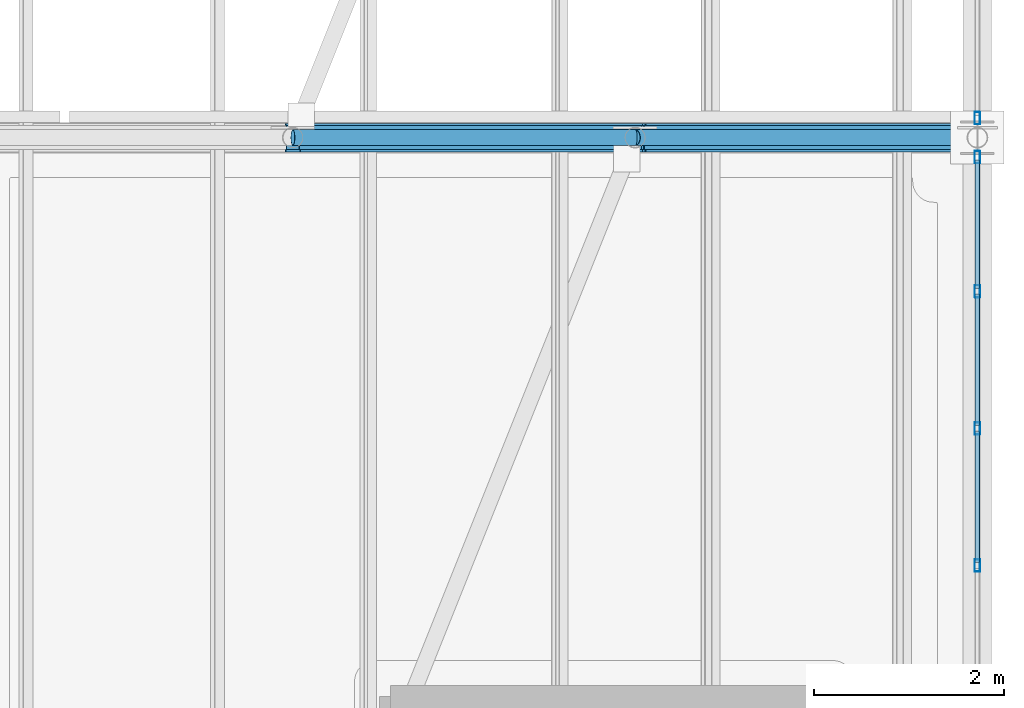
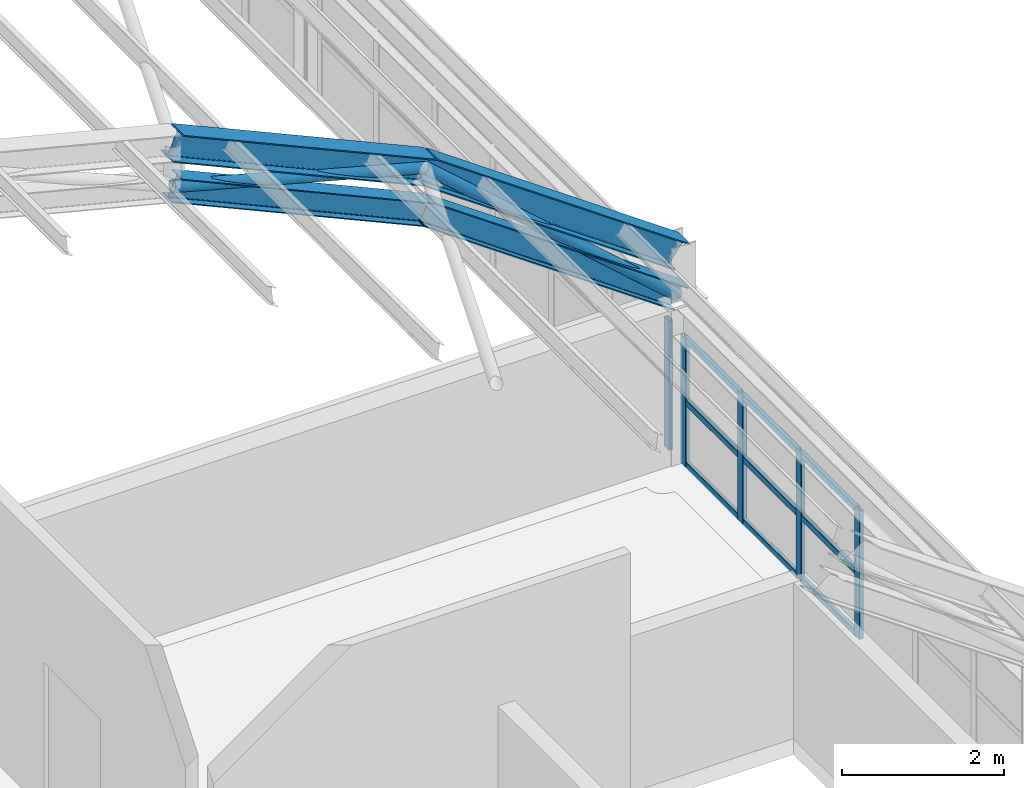
# One storey, part 38 of 121: 18 members, 2 beams, 2 elements without a shape of their own.
"""IFC4 building model written with IfcOpenShell, lengths in metres."""

import ifcopenshell
import ifcopenshell.guid

model = None  # the IFC model being written
_history = None  # IfcOwnerHistory: only IFC2X3 demands one
_inside = {}  # id of a spatial element -> (the spatial element, [elements in it])
_under = {}  # id of a project, library or spatial element -> (it, [spatial elements below it])
_declared = {}  # id of a project -> (the project, [libraries it declares])
_typed = {}  # id of a type object -> (the type object, [elements of that type])
_made_of = {}  # id of a material, layer set ... -> (it, [elements and type objects made of it])


def new_model(schema):
    """Start an empty IFC model of exactly this schema.

    Asked for "IFC4X3", IfcOpenShell would pick the latest addendum, in which some entities
    have other attributes; the version numbers below select the first issue.
    IFC2X3 requires an IfcOwnerHistory on every rooted entity: one is made here for all.
    """
    global model, _history
    if schema == "IFC4X3":
        model = ifcopenshell.file(schema_version=(4, 3, 0, 0))
    else:
        model = ifcopenshell.file(schema=schema)
    _inside.clear()
    _under.clear()
    _declared.clear()
    _typed.clear()
    _made_of.clear()
    _history = None
    if model.schema == "IFC2X3":
        org = make("IfcOrganization", Name="unknown")
        user = make(
            "IfcPersonAndOrganization",
            ThePerson=make("IfcPerson", FamilyName="unknown"),
            TheOrganization=org,
        )
        app = make(
            "IfcApplication",
            ApplicationDeveloper=org,
            Version="unknown",
            ApplicationFullName="unknown",
            ApplicationIdentifier="unknown",
        )
        _history = make(
            "IfcOwnerHistory",
            OwningUser=user,
            OwningApplication=app,
            ChangeAction="ADDED",
            CreationDate=0,
        )
    return model


def make(cls, **values):
    """One entity of the class cls with the attributes given. An attribute that is None is left unset."""
    return model.create_entity(
        cls, **{name: value for name, value in values.items() if value is not None}
    )


def rooted(cls, **values):
    """An entity with a GlobalId (a new one), such as an element, a storey or a relation."""
    return make(cls, GlobalId=ifcopenshell.guid.new(), OwnerHistory=_history, **values)


def si_unit(unit_type, name, prefix=None):
    """IfcSIUnit, for example si_unit("LENGTHUNIT", "METRE", prefix="MILLI")."""
    return make("IfcSIUnit", UnitType=unit_type, Prefix=prefix, Name=name)


def assignment(units):
    """IfcUnitAssignment: the units of a project."""
    return None if units is None else make("IfcUnitAssignment", Units=units)


def point(xyz):
    """IfcCartesianPoint."""
    return None if xyz is None else make("IfcCartesianPoint", Coordinates=xyz)


def direction(xyz):
    """IfcDirection."""
    return None if xyz is None else make("IfcDirection", DirectionRatios=xyz)


def frame(location, z_axis=None, x_axis=None):
    """IfcAxis2Placement3D, a coordinate frame: its origin and axes. An axis left out is left unset."""
    return make(
        "IfcAxis2Placement3D",
        Location=point(location),
        Axis=direction(z_axis),
        RefDirection=direction(x_axis),
    )


def frame_2d(location, x_axis=None):
    """IfcAxis2Placement2D, a coordinate frame in the plane: its origin and x axis."""
    return make(
        "IfcAxis2Placement2D", Location=point(location), RefDirection=direction(x_axis)
    )


def origin():
    """The frame at (0, 0, 0) with its axes left unset."""
    return frame((0.0, 0.0, 0.0))


def origin_2d():
    """The frame at (0, 0) in the plane with its x axis left unset."""
    return frame_2d((0.0, 0.0))


def place(relative_to, where):
    """IfcLocalPlacement: puts the frame where relative to a parent placement (None: the world)."""
    return make(
        "IfcLocalPlacement", PlacementRelTo=relative_to, RelativePlacement=where
    )


def context(
    kind, dimensions, precision=None, world=None, true_north=None, identifier=None
):
    """IfcGeometricRepresentationContext, for example the 3D "Model" context."""
    return make(
        "IfcGeometricRepresentationContext",
        ContextIdentifier=identifier,
        ContextType=kind,
        CoordinateSpaceDimension=dimensions,
        Precision=precision,
        WorldCoordinateSystem=world,
        TrueNorth=true_north,
    )


def subcontext(parent, identifier, kind, view, scale=None):
    """IfcGeometricRepresentationSubContext, for example "Body" below "Model"."""
    return make(
        "IfcGeometricRepresentationSubContext",
        ContextIdentifier=identifier,
        ContextType=kind,
        ParentContext=parent,
        TargetScale=scale,
        TargetView=view,
    )


def project(units=None, contexts=None):
    """IfcProject with its units and contexts."""
    return rooted(
        "IfcProject",
        Name="project",
        RepresentationContexts=contexts,
        UnitsInContext=assignment(units),
    )


def spatial(cls, under=None, at=None, **own):
    """A site, building, storey or space (cls), placed at a placement, below another one or the project."""
    s = rooted(cls, ObjectPlacement=at, **own)
    if under is not None:
        _under.setdefault(under.id(), (under, []))[1].append(s)
    return s


def profile(cls, at=None, kind="AREA", **sizes):
    """A parametric profile (cls). Its sizes go by their IFC names, for example OverallWidth=200.0."""
    return make(cls, ProfileType=kind, Position=at, **sizes)


def hollow_rectangle(**sizes):
    """IfcRectangleHollowProfileDef."""
    return profile("IfcRectangleHollowProfileDef", **sizes)


def hollow_circle(**sizes):
    """IfcCircleHollowProfileDef."""
    return profile("IfcCircleHollowProfileDef", **sizes)


def i_section(**sizes):
    """IfcIShapeProfileDef."""
    return profile("IfcIShapeProfileDef", **sizes)


def extrude(swept, where, along, depth):
    """IfcExtrudedAreaSolid: the profile swept, set in the frame where, extruded along a direction by depth."""
    return make(
        "IfcExtrudedAreaSolid",
        SweptArea=swept,
        Position=where,
        ExtrudedDirection=direction(along),
        Depth=depth,
    )


def shape(context_of_items, identifier, shape_type, items):
    """IfcShapeRepresentation: the items that make up one representation, for example the "Body"."""
    return make(
        "IfcShapeRepresentation",
        ContextOfItems=context_of_items,
        RepresentationIdentifier=identifier,
        RepresentationType=shape_type,
        Items=items,
    )


def material(Name=None, Category=None):
    """IfcMaterial."""
    return make("IfcMaterial", Name=Name, Category=Category)


def material_profile(
    of_material, cross_section, Name=None, Category=None, Priority=None
):
    """IfcMaterialProfile: a cross section and its material."""
    return make(
        "IfcMaterialProfile",
        Name=Name,
        Material=of_material,
        Profile=cross_section,
        Priority=Priority,
        Category=Category,
    )


def profile_set(profiles, Name=None, composite=None):
    """IfcMaterialProfileSet."""
    return make(
        "IfcMaterialProfileSet",
        Name=Name,
        MaterialProfiles=profiles,
        CompositeProfile=composite,
    )


def made_of(thing, what):
    """Note that an element or type object is made of a material, layer set ...; save() writes the relation."""
    if what is not None:
        _made_of.setdefault(what.id(), (what, []))[1].append(thing)
    return thing


def type_object(cls, material=None, **own):
    """A type object (cls), such as IfcWallType, which elements share."""
    return made_of(rooted(cls, **own), material)


def element(
    cls,
    number,
    at=None,
    inside=None,
    cuts=None,
    type_object=None,
    material=None,
    context=None,
    identifier="Body",
    shape_type=None,
    held_by="IfcProductDefinitionShape",
    body=None,
    shapes=None,
    **own,
):
    """One element of the class cls, such as IfcWall. Its Tag is "e" and its number.

    at: its placement. inside: the storey or other place that contains it. cuts: it is an
    opening in that element (IfcRelVoidsElement). A single representation is given by context,
    identifier, shape_type and body (its items); several are given by shapes. held_by: the class
    of the entity that holds the representations. save() writes the other relations.
    """
    e = rooted(cls, Tag="e%d" % number, ObjectPlacement=at, **own)
    if body is not None:
        shapes = [shape(context, identifier, shape_type, body)]
    if shapes is not None:
        e.Representation = make(held_by, Representations=shapes)
    if inside is not None:
        _inside.setdefault(inside.id(), (inside, []))[1].append(e)
    if cuts is not None:
        rooted(
            "IfcRelVoidsElement", RelatingBuildingElement=cuts, RelatedOpeningElement=e
        )
    if type_object is not None:
        _typed.setdefault(type_object.id(), (type_object, []))[1].append(e)
    return made_of(e, material)


def aggregate(whole, parts):
    """IfcRelAggregates: a whole, such as a stair, and the parts it consists of."""
    return rooted("IfcRelAggregates", RelatingObject=whole, RelatedObjects=parts)


def save(model, path):
    """Write the relations noted so far, then the file.

    IfcRelAggregates (storeys below a building ...), IfcRelContainedInSpatialStructure (elements
    in a storey), IfcRelDefinesByType, IfcRelAssociatesMaterial and IfcRelDeclares: one each for
    every whole, place, type object, material and project.
    """
    for whole, parts in _under.values():
        aggregate(whole, parts)
    for where, things in _inside.values():
        rooted(
            "IfcRelContainedInSpatialStructure",
            RelatedElements=things,
            RelatingStructure=where,
        )
    for kind, things in _typed.values():
        rooted("IfcRelDefinesByType", RelatedObjects=things, RelatingType=kind)
    for what, things in _made_of.values():
        rooted("IfcRelAssociatesMaterial", RelatedObjects=things, RelatingMaterial=what)
    for by, libraries in _declared.values():
        rooted("IfcRelDeclares", RelatingContext=by, RelatedDefinitions=libraries)
    model.write(path)


model = new_model("IFC4")

# Units and contexts
model_context = context("Model", 3, precision=1e-05, world=origin(), true_north=direction((0.0, 1.0)))
body_context = subcontext(model_context, "Body", "Model", "MODEL_VIEW")
ifc_project = project(units=[si_unit("LENGTHUNIT", "METRE"), si_unit("AREAUNIT", "SQUARE_METRE"), si_unit("VOLUMEUNIT", "CUBIC_METRE"), si_unit("PLANEANGLEUNIT", "RADIAN"), si_unit("MASSUNIT", "GRAM", prefix="KILO")], contexts=[model_context])

# Site, building, storey
site_placement = place(None, origin())
site = spatial("IfcSite", under=ifc_project, at=site_placement, CompositionType="ELEMENT")
building_placement = place(site_placement, origin())
building = spatial("IfcBuilding", under=site, at=building_placement, Name="Canglan Escarpment Cableway Terminal", CompositionType="ELEMENT")
storey_placement = place(building_placement, frame((0.0, 0.0, 24.60009765625)))
storey = spatial("IfcBuildingStorey", under=building, at=storey_placement, Name="L05", CompositionType="ELEMENT", Elevation=24.60009765625)

# Beams
ifc_material_1 = material(Name="Steel Q355B", Category="steel")
ifc_material_profile_1 = material_profile(ifc_material_1, i_section(OverallWidth=0.300048828125, OverallDepth=0.389892578125, WebThickness=0.010009765625, FlangeThickness=0.01611328125, FilletRadius=0.02197265625, at=origin_2d()), Name="HM 390x300x10x16")
ifc_profile_set_1 = profile_set([ifc_material_profile_1], Name="Steel Q355B")
beam_type = type_object("IfcBeamType", Name="BM-ARCH-TOP-HM390", PredefinedType="BEAM", material=ifc_profile_set_1)
beam_1_placement = place(storey_placement, frame((159.199951171875, 52.0, 7.23828125), z_axis=(0.911752518833, 0.0, -0.410739996108), x_axis=(0.0, 1.0, 0.0)))
element("IfcBeam", 1, at=beam_1_placement, inside=storey, type_object=beam_type, Name="Vault ROOF TRUSS arch top chord AR-TC1", PredefinedType="BEAM", context=body_context, shape_type="SweptSolid", body=[
    extrude(i_section(OverallWidth=0.300048828125, OverallDepth=0.389892578125, WebThickness=0.010009765625, FlangeThickness=0.01611328125, FilletRadius=0.02197265625, at=origin_2d()), origin(), (0.0, 0.0, 1.0), 3.948486328125),
])
beam_2_placement = place(storey_placement, frame((162.800048828125, 52.0, 5.616455078125), z_axis=(0.817731009495, 0.0, -0.575600552563), x_axis=(0.0, 1.0, 0.0)))
element("IfcBeam", 2, at=beam_2_placement, inside=storey, type_object=beam_type, Name="Vault ROOF TRUSS arch top chord AR-TC1", PredefinedType="BEAM", context=body_context, shape_type="SweptSolid", body=[
    extrude(i_section(OverallWidth=0.300048828125, OverallDepth=0.389892578125, WebThickness=0.010009765625, FlangeThickness=0.01611328125, FilletRadius=0.02197265625, at=origin_2d()), origin(), (0.0, 0.0, 1.0), 4.40234375),
])

# Curtain wall, members
ifc_material_2 = material(Name="Anodized bronze aluminium and Low-E double glazing", Category="aluminium")
curtain_wall_type_1 = type_object("IfcCurtainWallType", Name="CW-BAY-8650x1925", PredefinedType="NOTDEFINED", material=ifc_material_2)
curtain_wall_1_placement = place(storey_placement, origin())
curtain_wall_1 = element("IfcCurtainWall", 3, at=curtain_wall_1_placement, inside=storey, type_object=curtain_wall_type_1, Name="Classical bay-between-piers glazed curtain wall CW-65", PredefinedType="NOTDEFINED")
ifc_material_3 = material(Name="Thermally broken anodized aluminium 6063-T6", Category="aluminium")
ifc_material_profile_2 = material_profile(ifc_material_3, hollow_rectangle(XDim=0.06005859375, YDim=0.1298828125, WallThickness=0.0029296875, InnerFilletRadius=0.0029296875, OuterFilletRadius=0.006103515625, at=origin_2d()), Name="ALU-MULL 60x130x3")
ifc_profile_set_2 = profile_set([ifc_material_profile_2], Name="Thermally broken anodized aluminium 6063-T6")
member_type_1 = type_object("IfcMemberType", Name="CWM-01", PredefinedType="MULLION", material=ifc_profile_set_2)
member_1_placement = place(storey_placement, frame((166.39990234375, 47.5, 0.0), z_axis=(0.0, 0.0, 1.0), x_axis=(-1.0, 0.0, 0.0)))
member_1 = element("IfcMember", 4, at=member_1_placement, type_object=member_type_1, Name="CW-65 mullion 4", PredefinedType="MULLION", context=body_context, shape_type="SweptSolid", body=[
    extrude(hollow_rectangle(XDim=0.06005859375, YDim=0.1298828125, WallThickness=0.0029296875, InnerFilletRadius=0.0029296875, OuterFilletRadius=0.006103515625, at=origin_2d()), origin(), (0.0, 0.0, 1.0), 1.932373046875),
])
member_2_placement = place(storey_placement, frame((166.39990234375, 48.941650390625, 0.0), z_axis=(0.0, 0.0, 1.0), x_axis=(-1.0, 0.0, 0.0)))
member_2 = element("IfcMember", 5, at=member_2_placement, type_object=member_type_1, Name="CW-65 mullion 5", PredefinedType="MULLION", context=body_context, shape_type="SweptSolid", body=[
    extrude(hollow_rectangle(XDim=0.06005859375, YDim=0.1298828125, WallThickness=0.0029296875, InnerFilletRadius=0.0029296875, OuterFilletRadius=0.006103515625, at=origin_2d()), origin(), (0.0, 0.0, 1.0), 1.932373046875),
])
member_3_placement = place(storey_placement, frame((166.39990234375, 50.38330078125, 0.0), z_axis=(0.0, 0.0, 1.0), x_axis=(-1.0, 0.0, 0.0)))
member_3 = element("IfcMember", 6, at=member_3_placement, type_object=member_type_1, Name="CW-65 mullion 6", PredefinedType="MULLION", context=body_context, shape_type="SweptSolid", body=[
    extrude(hollow_rectangle(XDim=0.06005859375, YDim=0.1298828125, WallThickness=0.0029296875, InnerFilletRadius=0.0029296875, OuterFilletRadius=0.006103515625, at=origin_2d()), origin(), (0.0, 0.0, 1.0), 1.932373046875),
])
member_4_placement = place(storey_placement, frame((166.39990234375, 51.794921875, 0.0), z_axis=(0.0, 0.0, 1.0), x_axis=(-1.0, 0.0, 0.0)))
member_4 = element("IfcMember", 7, at=member_4_placement, type_object=member_type_1, Name="CW-65 mullion 7", PredefinedType="MULLION", context=body_context, shape_type="SweptSolid", body=[
    extrude(hollow_rectangle(XDim=0.06005859375, YDim=0.1298828125, WallThickness=0.0029296875, InnerFilletRadius=0.0029296875, OuterFilletRadius=0.006103515625, at=origin_2d()), origin(), (0.0, 0.0, 1.0), 1.932373046875),
])

# Curtain wall, member
curtain_wall_type_2 = type_object("IfcCurtainWallType", Name="CW-BAY-8650x1950", PredefinedType="NOTDEFINED", material=ifc_material_2)
curtain_wall_2_placement = place(storey_placement, origin())
curtain_wall_2 = element("IfcCurtainWall", 8, at=curtain_wall_2_placement, inside=storey, type_object=curtain_wall_type_2, Name="Classical bay-between-piers glazed curtain wall CW-66", PredefinedType="NOTDEFINED")
member_5_placement = place(storey_placement, frame((166.39990234375, 52.205078125, 0.0), z_axis=(0.0, 0.0, 1.0), x_axis=(-1.0, 0.0, 0.0)))
member_5 = element("IfcMember", 9, at=member_5_placement, type_object=member_type_1, Name="CW-66 mullion 1", PredefinedType="MULLION", context=body_context, shape_type="SweptSolid", body=[
    extrude(hollow_rectangle(XDim=0.06005859375, YDim=0.1298828125, WallThickness=0.0029296875, InnerFilletRadius=0.0029296875, OuterFilletRadius=0.006103515625, at=origin_2d()), origin(), (0.0, 0.0, 1.0), 1.949951171875),
])
aggregate(curtain_wall_2, [member_5])

# Member
ifc_material_profile_3 = material_profile(ifc_material_3, hollow_rectangle(XDim=0.054931640625, YDim=0.094970703125, WallThickness=0.0029296875, InnerFilletRadius=0.0029296875, OuterFilletRadius=0.006103515625, at=origin_2d()), Name="ALU-TRAN 55x95x3")
ifc_profile_set_3 = profile_set([ifc_material_profile_3], Name="Thermally broken anodized aluminium 6063-T6")
member_type_2 = type_object("IfcMemberType", Name="CWT-01", PredefinedType="USERDEFINED", material=ifc_profile_set_3)
member_6_placement = place(storey_placement, frame((166.39990234375, 47.530029296875, 0.02734375), z_axis=(0.0, 1.0, 0.0), x_axis=(-1.0, 0.0, 0.0)))
member_6 = element("IfcMember", 10, at=member_6_placement, type_object=member_type_2, Name="CW-65 transom 4.1", ObjectType="TRANSOM", PredefinedType="USERDEFINED", context=body_context, shape_type="SweptSolid", body=[
    extrude(hollow_rectangle(XDim=0.054931640625, YDim=0.094970703125, WallThickness=0.0029296875, InnerFilletRadius=0.0029296875, OuterFilletRadius=0.006103515625, at=origin_2d()), origin(), (0.0, 0.0, 1.0), 1.381591796875),
])

member_7_placement = place(storey_placement, frame((166.39990234375, 47.530029296875, 0.96630859375), z_axis=(0.0, 1.0, 0.0), x_axis=(-1.0, 0.0, 0.0)))
member_7 = element("IfcMember", 11, at=member_7_placement, type_object=member_type_2, Name="CW-65 transom 4.2", ObjectType="TRANSOM", PredefinedType="USERDEFINED", context=body_context, shape_type="SweptSolid", body=[
    extrude(hollow_rectangle(XDim=0.054931640625, YDim=0.094970703125, WallThickness=0.0029296875, InnerFilletRadius=0.0029296875, OuterFilletRadius=0.006103515625, at=origin_2d()), origin(), (0.0, 0.0, 1.0), 1.381591796875),
])

member_8_placement = place(storey_placement, frame((166.39990234375, 47.530029296875, 1.90478515625), z_axis=(0.0, 1.0, 0.0), x_axis=(-1.0, 0.0, 0.0)))
member_8 = element("IfcMember", 12, at=member_8_placement, type_object=member_type_2, Name="CW-65 transom 4.3", ObjectType="TRANSOM", PredefinedType="USERDEFINED", context=body_context, shape_type="SweptSolid", body=[
    extrude(hollow_rectangle(XDim=0.054931640625, YDim=0.094970703125, WallThickness=0.0029296875, InnerFilletRadius=0.0029296875, OuterFilletRadius=0.006103515625, at=origin_2d()), origin(), (0.0, 0.0, 1.0), 1.381591796875),
])

member_9_placement = place(storey_placement, frame((166.39990234375, 48.9716796875, 0.02734375), z_axis=(0.0, 1.0, 0.0), x_axis=(-1.0, 0.0, 0.0)))
member_9 = element("IfcMember", 13, at=member_9_placement, type_object=member_type_2, Name="CW-65 transom 5.1", ObjectType="TRANSOM", PredefinedType="USERDEFINED", context=body_context, shape_type="SweptSolid", body=[
    extrude(hollow_rectangle(XDim=0.054931640625, YDim=0.094970703125, WallThickness=0.0029296875, InnerFilletRadius=0.0029296875, OuterFilletRadius=0.006103515625, at=origin_2d()), origin(), (0.0, 0.0, 1.0), 1.381591796875),
])

member_10_placement = place(storey_placement, frame((166.39990234375, 48.9716796875, 0.96630859375), z_axis=(0.0, 1.0, 0.0), x_axis=(-1.0, 0.0, 0.0)))
member_10 = element("IfcMember", 14, at=member_10_placement, type_object=member_type_2, Name="CW-65 transom 5.2", ObjectType="TRANSOM", PredefinedType="USERDEFINED", context=body_context, shape_type="SweptSolid", body=[
    extrude(hollow_rectangle(XDim=0.054931640625, YDim=0.094970703125, WallThickness=0.0029296875, InnerFilletRadius=0.0029296875, OuterFilletRadius=0.006103515625, at=origin_2d()), origin(), (0.0, 0.0, 1.0), 1.381591796875),
])

member_11_placement = place(storey_placement, frame((166.39990234375, 48.9716796875, 1.90478515625), z_axis=(0.0, 1.0, 0.0), x_axis=(-1.0, 0.0, 0.0)))
member_11 = element("IfcMember", 15, at=member_11_placement, type_object=member_type_2, Name="CW-65 transom 5.3", ObjectType="TRANSOM", PredefinedType="USERDEFINED", context=body_context, shape_type="SweptSolid", body=[
    extrude(hollow_rectangle(XDim=0.054931640625, YDim=0.094970703125, WallThickness=0.0029296875, InnerFilletRadius=0.0029296875, OuterFilletRadius=0.006103515625, at=origin_2d()), origin(), (0.0, 0.0, 1.0), 1.381591796875),
])

member_12_placement = place(storey_placement, frame((166.39990234375, 50.413330078125, 0.02734375), z_axis=(0.0, 1.0, 0.0), x_axis=(-1.0, 0.0, 0.0)))
member_12 = element("IfcMember", 16, at=member_12_placement, type_object=member_type_2, Name="CW-65 transom 6.1", ObjectType="TRANSOM", PredefinedType="USERDEFINED", context=body_context, shape_type="SweptSolid", body=[
    extrude(hollow_rectangle(XDim=0.054931640625, YDim=0.094970703125, WallThickness=0.0029296875, InnerFilletRadius=0.0029296875, OuterFilletRadius=0.006103515625, at=origin_2d()), origin(), (0.0, 0.0, 1.0), 1.3515625),
])

member_13_placement = place(storey_placement, frame((166.39990234375, 50.413330078125, 0.96630859375), z_axis=(0.0, 1.0, 0.0), x_axis=(-1.0, 0.0, 0.0)))
member_13 = element("IfcMember", 17, at=member_13_placement, type_object=member_type_2, Name="CW-65 transom 6.2", ObjectType="TRANSOM", PredefinedType="USERDEFINED", context=body_context, shape_type="SweptSolid", body=[
    extrude(hollow_rectangle(XDim=0.054931640625, YDim=0.094970703125, WallThickness=0.0029296875, InnerFilletRadius=0.0029296875, OuterFilletRadius=0.006103515625, at=origin_2d()), origin(), (0.0, 0.0, 1.0), 1.3515625),
])

member_14_placement = place(storey_placement, frame((166.39990234375, 50.413330078125, 1.90478515625), z_axis=(0.0, 1.0, 0.0), x_axis=(-1.0, 0.0, 0.0)))
member_14 = element("IfcMember", 18, at=member_14_placement, type_object=member_type_2, Name="CW-65 transom 6.3", ObjectType="TRANSOM", PredefinedType="USERDEFINED", context=body_context, shape_type="SweptSolid", body=[
    extrude(hollow_rectangle(XDim=0.054931640625, YDim=0.094970703125, WallThickness=0.0029296875, InnerFilletRadius=0.0029296875, OuterFilletRadius=0.006103515625, at=origin_2d()), origin(), (0.0, 0.0, 1.0), 1.3515625),
])

aggregate(curtain_wall_1, [member_1, member_2, member_3, member_4, member_6, member_7, member_8, member_9, member_10, member_11, member_12, member_13, member_14])

# Members
ifc_material_profile_4 = material_profile(ifc_material_1, i_section(OverallWidth=0.25, OverallDepth=0.340087890625, WebThickness=0.009033203125, FlangeThickness=0.013916015625, FilletRadius=0.02001953125, at=origin_2d()), Name="HM 340x250x9x14")
ifc_profile_set_4 = profile_set([ifc_material_profile_4], Name="Steel Q355B")
member_type_3 = type_object("IfcMemberType", Name="MB-ARCH-BOT-HM340", PredefinedType="CHORD", material=ifc_profile_set_4)
member_15_placement = place(storey_placement, frame((159.199951171875, 52.0, 6.58837890625), z_axis=(0.911752518833, 0.0, -0.410739996108), x_axis=(0.0, 1.0, 0.0)))
element("IfcMember", 19, at=member_15_placement, inside=storey, type_object=member_type_3, Name="Vault ROOF TRUSS arch bottom chord AR-BC1", PredefinedType="CHORD", context=body_context, shape_type="SweptSolid", body=[
    extrude(i_section(OverallWidth=0.25, OverallDepth=0.340087890625, WebThickness=0.009033203125, FlangeThickness=0.013916015625, FilletRadius=0.02001953125, at=origin_2d()), origin(), (0.0, 0.0, 1.0), 3.948486328125),
])
member_16_placement = place(storey_placement, frame((162.800048828125, 52.0, 4.966552734375), z_axis=(0.81770490607, 0.0, -0.575637634792), x_axis=(0.0, 1.0, 0.0)))
element("IfcMember", 20, at=member_16_placement, inside=storey, type_object=member_type_3, Name="Vault ROOF TRUSS arch bottom chord AR-BC1", PredefinedType="CHORD", context=body_context, shape_type="SweptSolid", body=[
    extrude(i_section(OverallWidth=0.25, OverallDepth=0.340087890625, WebThickness=0.009033203125, FlangeThickness=0.013916015625, FilletRadius=0.02001953125, at=origin_2d()), origin(), (0.0, 0.0, 1.0), 4.40234375),
])
ifc_material_profile_5 = material_profile(ifc_material_1, hollow_circle(Radius=0.084228515625, WallThickness=0.006103515625, at=origin_2d()), Name="CHS 168.3x6")
ifc_profile_set_5 = profile_set([ifc_material_profile_5], Name="Steel Q355B")
member_type_4 = type_object("IfcMemberType", Name="MB-ARCH-DIAG-CHS168", PredefinedType="BRACE", material=ifc_profile_set_5)
member_17_placement = place(storey_placement, frame((159.199951171875, 52.0, 6.58837890625), z_axis=(0.96543600217, 0.0, -0.260640222748), x_axis=(0.0, 1.0, 0.0)))
element("IfcMember", 21, at=member_17_placement, inside=storey, type_object=member_type_4, Name="Vault ROOF TRUSS web diagonal AR-DG1", PredefinedType="BRACE", context=body_context, shape_type="SweptSolid", body=[
    extrude(hollow_circle(Radius=0.084228515625, WallThickness=0.006103515625, at=origin_2d()), origin(), (0.0, 0.0, 1.0), 3.72900390625),
])
member_18_placement = place(storey_placement, frame((162.800048828125, 52.0, 5.616455078125), z_axis=(0.749038254518, 0.0, -0.662526749096), x_axis=(0.0, 1.0, 0.0)))
element("IfcMember", 22, at=member_18_placement, inside=storey, type_object=member_type_4, Name="Vault ROOF TRUSS web diagonal AR-DG1", PredefinedType="BRACE", context=body_context, shape_type="SweptSolid", body=[
    extrude(hollow_circle(Radius=0.084228515625, WallThickness=0.006103515625, at=origin_2d()), origin(), (0.0, 0.0, 1.0), 4.805908203125),
])

save(model, "model.ifc")
